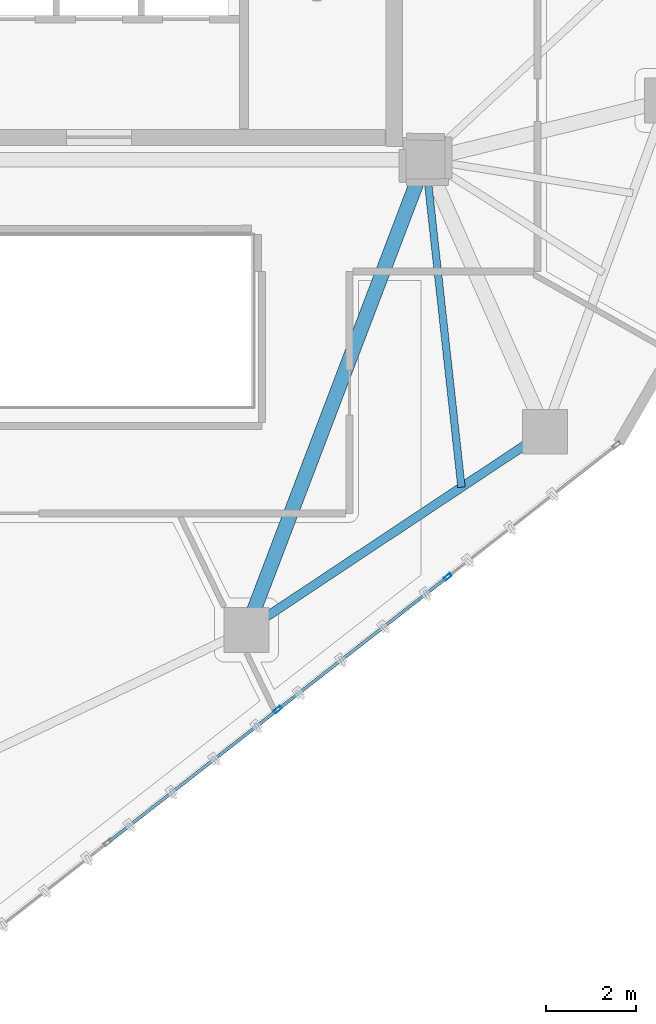
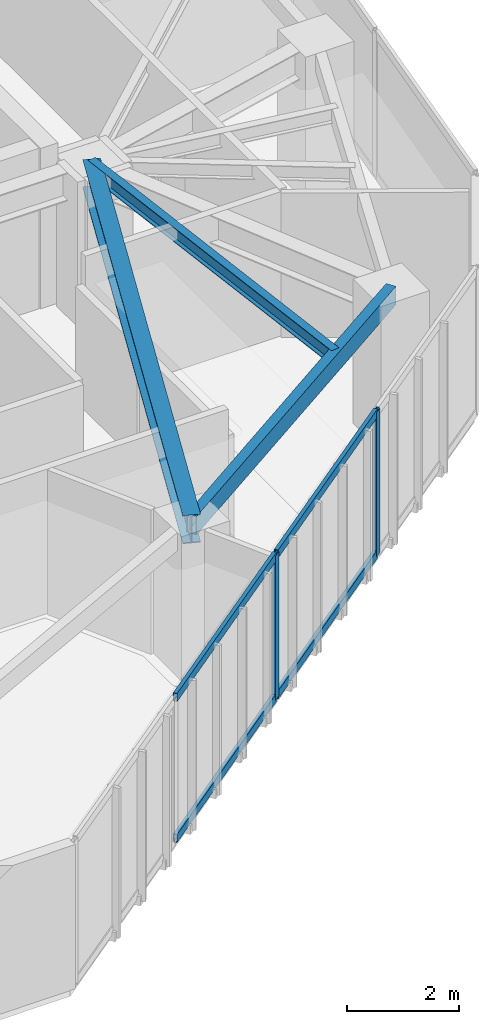
# One storey, part 6 of 21: 6 members, 3 beams, 1 element without a shape of its own.
"""IFC4 building model written with IfcOpenShell, lengths in metres."""

from ifc_helpers import new_model, si_unit, direction, frame, origin, origin_2d, place, context, subcontext, project, spatial, hollow_rectangle, i_section, extrude, source, transform, mapped, material, layer, layer_set, material_profile, profile_set, type_object, type_shapes, element, aggregate, save


model = new_model("IFC4")

# Units and contexts
model_context = context("Model", 3, precision=1e-05, world=origin(), true_north=direction((0.0, 1.0)))
body_context = subcontext(model_context, "Body", "Model", "MODEL_VIEW")
ifc_project = project(units=[si_unit("LENGTHUNIT", "METRE"), si_unit("AREAUNIT", "SQUARE_METRE"), si_unit("VOLUMEUNIT", "CUBIC_METRE"), si_unit("PLANEANGLEUNIT", "RADIAN"), si_unit("MASSUNIT", "GRAM", prefix="KILO")], contexts=[model_context])

# Site, building, storey
site_placement = place(None, origin())
site = spatial("IfcSite", under=ifc_project, at=site_placement, CompositionType="ELEMENT")
building_placement = place(site_placement, origin())
building = spatial("IfcBuilding", under=site, at=building_placement, Name="Talar Marvaseh", CompositionType="ELEMENT")
storey_placement = place(building_placement, frame((0.0, 0.0, 232.699951171875)))
storey = spatial("IfcBuildingStorey", under=building, at=storey_placement, Name="L61", CompositionType="ELEMENT", Elevation=232.699951171875)

# Beams
ifc_material_1 = material(Name="Steel S355", Category="steel")
ifc_material_profile_1 = material_profile(ifc_material_1, hollow_rectangle(XDim=0.199951171875, YDim=0.39990234375, WallThickness=0.013916015625, at=origin_2d()), Name="RHS400x200x14")
ifc_profile_set_1 = profile_set([ifc_material_profile_1], Name="Steel S355")
beam_type_1 = type_object("IfcBeamType", Name="Zone 3 Perimeter Spandrel Beam RHS400x200x14", PredefinedType="SPANDREL", material=ifc_profile_set_1)
beam_1_placement = place(storey_placement, frame((35.970947265625, 19.423095703125, 2.949951171875), z_axis=(-0.833127464163, -0.553081032452, 0.0), x_axis=(0.553081032452, -0.833127464163, 0.0)))
element("IfcBeam", 1, at=beam_1_placement, inside=storey, type_object=beam_type_1, Name="L61 Zone 3 Perimeter Spandrel Beam RHS400x200x14", PredefinedType="SPANDREL", context=body_context, shape_type="SweptSolid", body=[
    extrude(hollow_rectangle(XDim=0.199951171875, YDim=0.39990234375, WallThickness=0.013916015625, at=origin_2d()), origin(), (0.0, 0.0, 1.0), 8.00830078125),
])
ifc_material_profile_2 = material_profile(ifc_material_1, i_section(OverallWidth=0.324951171875, OverallDepth=0.615966796875, WebThickness=0.013916015625, FlangeThickness=0.021484375, at=origin_2d()), Name="W610x174")
ifc_profile_set_2 = profile_set([ifc_material_profile_2], Name="Steel S355")
beam_type_2 = type_object("IfcBeamType", Name="Zone 3 Radial Floor Girder W610x174", PredefinedType="BEAM", material=ifc_profile_set_2)
beam_2_placement = place(storey_placement, frame((29.299072265625, 14.993896484375, 2.842041015625), z_axis=(0.355890569952, 0.934527635878, 0.0), x_axis=(-0.934527635878, 0.355890569952, 0.0)))
element("IfcBeam", 2, at=beam_2_placement, inside=storey, type_object=beam_type_2, Name="L61 Zone 3 Radial Floor Girder W610x174", PredefinedType="BEAM", context=body_context, shape_type="SweptSolid", body=[
    extrude(i_section(OverallWidth=0.324951171875, OverallDepth=0.615966796875, WebThickness=0.013916015625, FlangeThickness=0.021484375, at=origin_2d()), origin(), (0.0, 0.0, 1.0), 11.2421875),
])
ifc_material_profile_3 = material_profile(ifc_material_1, i_section(OverallWidth=0.166015625, OverallDepth=0.31298828125, WebThickness=0.006591796875, FlangeThickness=0.01123046875, at=origin_2d()), Name="W310x45")
ifc_profile_set_3 = profile_set([ifc_material_profile_3], Name="Steel S355")
beam_type_3 = type_object("IfcBeamType", Name="Zone 3 Secondary Floor Joist W310x45", PredefinedType="JOIST", material=ifc_profile_set_3)
beam_3_placement = place(storey_placement, frame((34.102783203125, 18.182861328125, 2.99365234375), z_axis=(-0.109051770147, 0.994036071492, 0.0), x_axis=(-0.994036071492, -0.109051770147, 0.0)))
element("IfcBeam", 3, at=beam_3_placement, inside=storey, type_object=beam_type_3, Name="L61 Zone 3 Secondary Floor Joist W310x45", PredefinedType="JOIST", context=body_context, shape_type="SweptSolid", body=[
    extrude(i_section(OverallWidth=0.166015625, OverallDepth=0.31298828125, WebThickness=0.006591796875, FlangeThickness=0.01123046875, at=origin_2d()), origin(), (0.0, 0.0, 1.0), 7.361083984375),
])

# Curtain wall, members
ifc_material_2 = material(Name="Architectural Aluminium", Category="aluminium")
ifc_layer = layer(ifc_material_2, 0.18994140625)
ifc_layer_set = layer_set([ifc_layer], Name="Architectural Aluminium")
curtain_wall_type = type_object("IfcCurtainWallType", Name="Unitised Solar Atelier Curtain Wall Z3", PredefinedType="NOTDEFINED", material=ifc_layer_set)
curtain_wall_placement = place(storey_placement, origin())
curtain_wall = element("IfcCurtainWall", 4, at=curtain_wall_placement, inside=storey, type_object=curtain_wall_type, Name="L61 Unitised Solar Atelier Curtain Wall Z3", PredefinedType="NOTDEFINED")
ifc_material_profile_4 = material_profile(ifc_material_2, hollow_rectangle(XDim=0.074951171875, YDim=0.179931640625, WallThickness=0.0048828125, at=origin_2d()), Name="RHS180x75x5")
ifc_profile_set_4 = profile_set([ifc_material_profile_4], Name="Architectural Aluminium")
member_type_1 = type_object("IfcMemberType", Name="Unitised Curtain Wall Transom RHS180x75x5", PredefinedType="USERDEFINED", material=ifc_profile_set_4)
shared_shape_1 = source(origin(), body_context, "Body", "SweptSolid", [
    extrude(hollow_rectangle(XDim=0.074951171875, YDim=0.179931640625, WallThickness=0.0048828125, at=origin_2d()), origin(), (0.0, 0.0, 1.0), 4.7470703125),
])
member_1_placement = place(storey_placement, frame((29.968017578125, 13.191650390625, 0.03759765625), z_axis=(-0.787918319355, -0.61577976747, 0.0), x_axis=(0.61577976747, -0.787918319355, 0.0)))
member_1 = element("IfcMember", 5, at=member_1_placement, type_object=member_type_1, Name="CW-Z3 transom 3.1", ObjectType="TRANSOM", PredefinedType="USERDEFINED", context=body_context, shape_type="MappedRepresentation", body=[
    mapped(shared_shape_1, transform((0.0, 0.0, 0.0), x_axis=(1.0, 0.0, 0.0), y_axis=(0.0, 1.0, 0.0), z_axis=(0.0, 0.0, 1.0), scale=1.0)),
])
member_2_placement = place(storey_placement, frame((29.968017578125, 13.191650390625, 3.112548828125), z_axis=(-0.787918319355, -0.61577976747, 0.0), x_axis=(0.61577976747, -0.787918319355, 0.0)))
member_2 = element("IfcMember", 6, at=member_2_placement, type_object=member_type_1, Name="CW-Z3 transom 3.2", ObjectType="TRANSOM", PredefinedType="USERDEFINED", context=body_context, shape_type="MappedRepresentation", body=[
    mapped(shared_shape_1, transform((0.0, 0.0, 0.0), x_axis=(1.0, 0.0, 0.0), y_axis=(0.0, 1.0, 0.0), z_axis=(0.0, 0.0, 1.0), scale=1.0)),
])
shared_shape_2 = source(origin(), body_context, "Body", "SweptSolid", [
    extrude(hollow_rectangle(XDim=0.074951171875, YDim=0.179931640625, WallThickness=0.0048828125, at=origin_2d()), origin(), (0.0, 0.0, 1.0), 4.747314453125),
])
type_shapes(member_type_1, [shared_shape_1, shared_shape_2])
member_3_placement = place(storey_placement, frame((33.767578125, 16.1611328125, 0.03759765625), z_axis=(-0.787912868092, -0.615786742545, 0.0), x_axis=(0.615786742545, -0.787912868092, 0.0)))
member_3 = element("IfcMember", 7, at=member_3_placement, type_object=member_type_1, Name="CW-Z3 transom 2.1", ObjectType="TRANSOM", PredefinedType="USERDEFINED", context=body_context, shape_type="MappedRepresentation", body=[
    mapped(shared_shape_2, transform((0.0, 0.0, 0.0), x_axis=(1.0, 0.0, 0.0), y_axis=(0.0, 1.0, 0.0), z_axis=(0.0, 0.0, 1.0), scale=1.0)),
])
member_4_placement = place(storey_placement, frame((33.767578125, 16.1611328125, 3.112548828125), z_axis=(-0.787912868092, -0.615786742545, 0.0), x_axis=(0.615786742545, -0.787912868092, 0.0)))
member_4 = element("IfcMember", 8, at=member_4_placement, type_object=member_type_1, Name="CW-Z3 transom 2.2", ObjectType="TRANSOM", PredefinedType="USERDEFINED", context=body_context, shape_type="MappedRepresentation", body=[
    mapped(shared_shape_2, transform((0.0, 0.0, 0.0), x_axis=(1.0, 0.0, 0.0), y_axis=(0.0, 1.0, 0.0), z_axis=(0.0, 0.0, 1.0), scale=1.0)),
])
ifc_material_profile_5 = material_profile(ifc_material_2, hollow_rectangle(XDim=0.074951171875, YDim=0.179931640625, WallThickness=0.0048828125, at=origin_2d()), Name="RHS180x75x5")
ifc_profile_set_5 = profile_set([ifc_material_profile_5], Name="Architectural Aluminium")
member_type_2 = type_object("IfcMemberType", Name="Unitised Curtain Wall Standard Mullion RHS180x75x5", PredefinedType="MULLION", material=ifc_profile_set_5)
shared_shape_3 = source(origin(), body_context, "Body", "SweptSolid", [
    extrude(hollow_rectangle(XDim=0.074951171875, YDim=0.179931640625, WallThickness=0.0048828125, at=origin_2d()), origin(), (0.0, 0.0, 1.0), 3.150146484375),
])
type_shapes(member_type_2, [shared_shape_3])
member_5_placement = place(storey_placement, frame((33.797119140625, 16.18408203125, 0.0), z_axis=(0.0, 0.0, 1.0), x_axis=(0.61578418046, -0.787914870462, 0.0)))
member_5 = element("IfcMember", 9, at=member_5_placement, type_object=member_type_2, Name="CW-Z3 mullion 2", PredefinedType="MULLION", context=body_context, shape_type="MappedRepresentation", body=[
    mapped(shared_shape_3, transform((0.0, 0.0, 0.0), x_axis=(1.0, 0.0, 0.0), y_axis=(0.0, 1.0, 0.0), z_axis=(0.0, 0.0, 1.0), scale=1.0)),
])
member_6_placement = place(storey_placement, frame((29.99755859375, 13.21484375, 0.0), z_axis=(0.0, 0.0, 1.0), x_axis=(0.61578418046, -0.787914870462, 0.0)))
member_6 = element("IfcMember", 10, at=member_6_placement, type_object=member_type_2, Name="CW-Z3 mullion 3", PredefinedType="MULLION", context=body_context, shape_type="MappedRepresentation", body=[
    mapped(shared_shape_3, transform((0.0, 0.0, 0.0), x_axis=(1.0, 0.0, 0.0), y_axis=(0.0, 1.0, 0.0), z_axis=(0.0, 0.0, 1.0), scale=1.0)),
])
aggregate(curtain_wall, [member_5, member_6, member_3, member_4, member_1, member_2])

save(model, "model.ifc")
